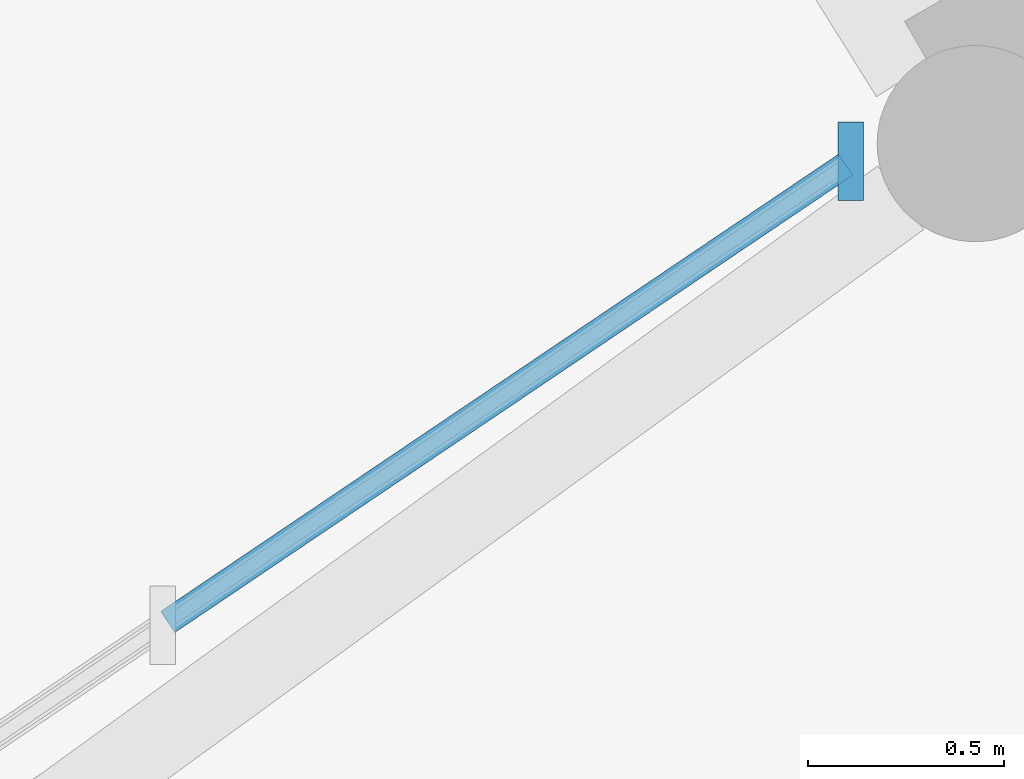
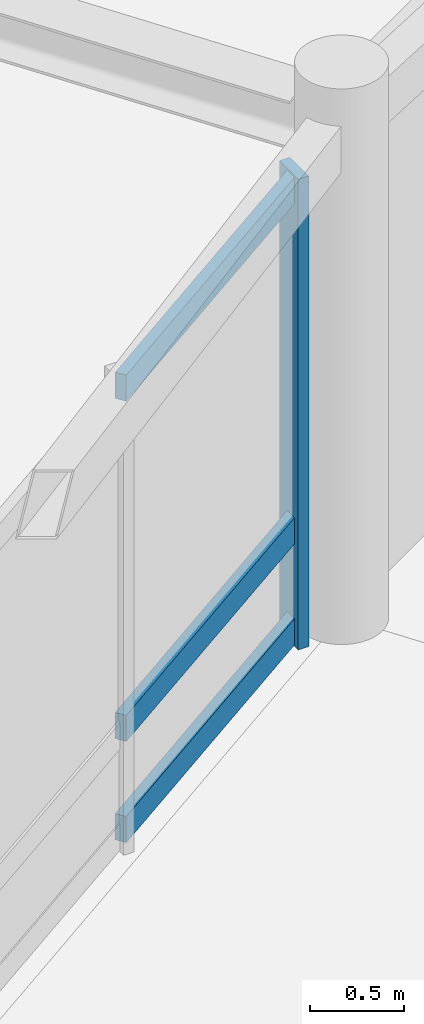
# One storey, part 17 of 74: 4 members, 1 element without a shape of its own.
"""IFC4 building model written with IfcOpenShell, lengths in metres."""

import ifcopenshell
import ifcopenshell.guid

model = None  # the IFC model being written
_history = None  # IfcOwnerHistory: only IFC2X3 demands one
_inside = {}  # id of a spatial element -> (the spatial element, [elements in it])
_under = {}  # id of a project, library or spatial element -> (it, [spatial elements below it])
_declared = {}  # id of a project -> (the project, [libraries it declares])
_typed = {}  # id of a type object -> (the type object, [elements of that type])
_made_of = {}  # id of a material, layer set ... -> (it, [elements and type objects made of it])


def new_model(schema):
    """Start an empty IFC model of exactly this schema.

    Asked for "IFC4X3", IfcOpenShell would pick the latest addendum, in which some entities
    have other attributes; the version numbers below select the first issue.
    IFC2X3 requires an IfcOwnerHistory on every rooted entity: one is made here for all.
    """
    global model, _history
    if schema == "IFC4X3":
        model = ifcopenshell.file(schema_version=(4, 3, 0, 0))
    else:
        model = ifcopenshell.file(schema=schema)
    _inside.clear()
    _under.clear()
    _declared.clear()
    _typed.clear()
    _made_of.clear()
    _history = None
    if model.schema == "IFC2X3":
        org = make("IfcOrganization", Name="unknown")
        user = make(
            "IfcPersonAndOrganization",
            ThePerson=make("IfcPerson", FamilyName="unknown"),
            TheOrganization=org,
        )
        app = make(
            "IfcApplication",
            ApplicationDeveloper=org,
            Version="unknown",
            ApplicationFullName="unknown",
            ApplicationIdentifier="unknown",
        )
        _history = make(
            "IfcOwnerHistory",
            OwningUser=user,
            OwningApplication=app,
            ChangeAction="ADDED",
            CreationDate=0,
        )
    return model


def make(cls, **values):
    """One entity of the class cls with the attributes given. An attribute that is None is left unset."""
    return model.create_entity(
        cls, **{name: value for name, value in values.items() if value is not None}
    )


def rooted(cls, **values):
    """An entity with a GlobalId (a new one), such as an element, a storey or a relation."""
    return make(cls, GlobalId=ifcopenshell.guid.new(), OwnerHistory=_history, **values)


def si_unit(unit_type, name, prefix=None):
    """IfcSIUnit, for example si_unit("LENGTHUNIT", "METRE", prefix="MILLI")."""
    return make("IfcSIUnit", UnitType=unit_type, Prefix=prefix, Name=name)


def assignment(units):
    """IfcUnitAssignment: the units of a project."""
    return None if units is None else make("IfcUnitAssignment", Units=units)


def point(xyz):
    """IfcCartesianPoint."""
    return None if xyz is None else make("IfcCartesianPoint", Coordinates=xyz)


def direction(xyz):
    """IfcDirection."""
    return None if xyz is None else make("IfcDirection", DirectionRatios=xyz)


def frame(location, z_axis=None, x_axis=None):
    """IfcAxis2Placement3D, a coordinate frame: its origin and axes. An axis left out is left unset."""
    return make(
        "IfcAxis2Placement3D",
        Location=point(location),
        Axis=direction(z_axis),
        RefDirection=direction(x_axis),
    )


def frame_2d(location, x_axis=None):
    """IfcAxis2Placement2D, a coordinate frame in the plane: its origin and x axis."""
    return make(
        "IfcAxis2Placement2D", Location=point(location), RefDirection=direction(x_axis)
    )


def origin():
    """The frame at (0, 0, 0) with its axes left unset."""
    return frame((0.0, 0.0, 0.0))


def origin_2d():
    """The frame at (0, 0) in the plane with its x axis left unset."""
    return frame_2d((0.0, 0.0))


def place(relative_to, where):
    """IfcLocalPlacement: puts the frame where relative to a parent placement (None: the world)."""
    return make(
        "IfcLocalPlacement", PlacementRelTo=relative_to, RelativePlacement=where
    )


def context(
    kind, dimensions, precision=None, world=None, true_north=None, identifier=None
):
    """IfcGeometricRepresentationContext, for example the 3D "Model" context."""
    return make(
        "IfcGeometricRepresentationContext",
        ContextIdentifier=identifier,
        ContextType=kind,
        CoordinateSpaceDimension=dimensions,
        Precision=precision,
        WorldCoordinateSystem=world,
        TrueNorth=true_north,
    )


def subcontext(parent, identifier, kind, view, scale=None):
    """IfcGeometricRepresentationSubContext, for example "Body" below "Model"."""
    return make(
        "IfcGeometricRepresentationSubContext",
        ContextIdentifier=identifier,
        ContextType=kind,
        ParentContext=parent,
        TargetScale=scale,
        TargetView=view,
    )


def project(units=None, contexts=None):
    """IfcProject with its units and contexts."""
    return rooted(
        "IfcProject",
        Name="project",
        RepresentationContexts=contexts,
        UnitsInContext=assignment(units),
    )


def spatial(cls, under=None, at=None, **own):
    """A site, building, storey or space (cls), placed at a placement, below another one or the project."""
    s = rooted(cls, ObjectPlacement=at, **own)
    if under is not None:
        _under.setdefault(under.id(), (under, []))[1].append(s)
    return s


def profile(cls, at=None, kind="AREA", **sizes):
    """A parametric profile (cls). Its sizes go by their IFC names, for example OverallWidth=200.0."""
    return make(cls, ProfileType=kind, Position=at, **sizes)


def rectangle(**sizes):
    """IfcRectangleProfileDef."""
    return profile("IfcRectangleProfileDef", **sizes)


def extrude(swept, where, along, depth):
    """IfcExtrudedAreaSolid: the profile swept, set in the frame where, extruded along a direction by depth."""
    return make(
        "IfcExtrudedAreaSolid",
        SweptArea=swept,
        Position=where,
        ExtrudedDirection=direction(along),
        Depth=depth,
    )


def shape(context_of_items, identifier, shape_type, items):
    """IfcShapeRepresentation: the items that make up one representation, for example the "Body"."""
    return make(
        "IfcShapeRepresentation",
        ContextOfItems=context_of_items,
        RepresentationIdentifier=identifier,
        RepresentationType=shape_type,
        Items=items,
    )


def material(Name=None, Category=None):
    """IfcMaterial."""
    return make("IfcMaterial", Name=Name, Category=Category)


def material_profile(
    of_material, cross_section, Name=None, Category=None, Priority=None
):
    """IfcMaterialProfile: a cross section and its material."""
    return make(
        "IfcMaterialProfile",
        Name=Name,
        Material=of_material,
        Profile=cross_section,
        Priority=Priority,
        Category=Category,
    )


def profile_set(profiles, Name=None, composite=None):
    """IfcMaterialProfileSet."""
    return make(
        "IfcMaterialProfileSet",
        Name=Name,
        MaterialProfiles=profiles,
        CompositeProfile=composite,
    )


def made_of(thing, what):
    """Note that an element or type object is made of a material, layer set ...; save() writes the relation."""
    if what is not None:
        _made_of.setdefault(what.id(), (what, []))[1].append(thing)
    return thing


def type_object(cls, material=None, **own):
    """A type object (cls), such as IfcWallType, which elements share."""
    return made_of(rooted(cls, **own), material)


def element(
    cls,
    number,
    at=None,
    inside=None,
    cuts=None,
    type_object=None,
    material=None,
    context=None,
    identifier="Body",
    shape_type=None,
    held_by="IfcProductDefinitionShape",
    body=None,
    shapes=None,
    **own,
):
    """One element of the class cls, such as IfcWall. Its Tag is "e" and its number.

    at: its placement. inside: the storey or other place that contains it. cuts: it is an
    opening in that element (IfcRelVoidsElement). A single representation is given by context,
    identifier, shape_type and body (its items); several are given by shapes. held_by: the class
    of the entity that holds the representations. save() writes the other relations.
    """
    e = rooted(cls, Tag="e%d" % number, ObjectPlacement=at, **own)
    if body is not None:
        shapes = [shape(context, identifier, shape_type, body)]
    if shapes is not None:
        e.Representation = make(held_by, Representations=shapes)
    if inside is not None:
        _inside.setdefault(inside.id(), (inside, []))[1].append(e)
    if cuts is not None:
        rooted(
            "IfcRelVoidsElement", RelatingBuildingElement=cuts, RelatedOpeningElement=e
        )
    if type_object is not None:
        _typed.setdefault(type_object.id(), (type_object, []))[1].append(e)
    return made_of(e, material)


def aggregate(whole, parts):
    """IfcRelAggregates: a whole, such as a stair, and the parts it consists of."""
    return rooted("IfcRelAggregates", RelatingObject=whole, RelatedObjects=parts)


def save(model, path):
    """Write the relations noted so far, then the file.

    IfcRelAggregates (storeys below a building ...), IfcRelContainedInSpatialStructure (elements
    in a storey), IfcRelDefinesByType, IfcRelAssociatesMaterial and IfcRelDeclares: one each for
    every whole, place, type object, material and project.
    """
    for whole, parts in _under.values():
        aggregate(whole, parts)
    for where, things in _inside.values():
        rooted(
            "IfcRelContainedInSpatialStructure",
            RelatedElements=things,
            RelatingStructure=where,
        )
    for kind, things in _typed.values():
        rooted("IfcRelDefinesByType", RelatedObjects=things, RelatingType=kind)
    for what, things in _made_of.values():
        rooted("IfcRelAssociatesMaterial", RelatedObjects=things, RelatingMaterial=what)
    for by, libraries in _declared.values():
        rooted("IfcRelDeclares", RelatingContext=by, RelatedDefinitions=libraries)
    model.write(path)


model = new_model("IFC4")

# Units and contexts
model_context = context("Model", 3, precision=1e-05, world=origin(), true_north=direction((0.0, 1.0)))
body_context = subcontext(model_context, "Body", "Model", "MODEL_VIEW")
ifc_project = project(units=[si_unit("LENGTHUNIT", "METRE"), si_unit("AREAUNIT", "SQUARE_METRE"), si_unit("VOLUMEUNIT", "CUBIC_METRE"), si_unit("PLANEANGLEUNIT", "RADIAN"), si_unit("MASSUNIT", "GRAM", prefix="KILO")], contexts=[model_context])

# Site, building, storey
site_placement = place(None, origin())
site = spatial("IfcSite", under=ifc_project, at=site_placement, CompositionType="ELEMENT")
building_placement = place(site_placement, origin())
building = spatial("IfcBuilding", under=site, at=building_placement, Name="Clarverna Civic Hall", CompositionType="ELEMENT")
storey_placement = place(building_placement, frame((0.0, 0.0, 9.60009765625)))
storey = spatial("IfcBuildingStorey", under=building, at=storey_placement, Name="L02", CompositionType="ELEMENT", Elevation=9.60009765625)

# Curtain wall, members
ifc_material = material(Name="Anodised Bronze Architectural Aluminium", Category="aluminium")
curtain_wall_type = type_object("IfcCurtainWallType", Name="CW-03", PredefinedType="USERDEFINED", material=ifc_material)
curtain_wall_placement = place(storey_placement, origin())
curtain_wall = element("IfcCurtainWall", 1, at=curtain_wall_placement, inside=storey, type_object=curtain_wall_type, Name="CW-03-059", ObjectType="UNITISED CURTAIN WALL", PredefinedType="USERDEFINED")
ifc_material_profile_1 = material_profile(ifc_material, rectangle(XDim=0.06494140625, YDim=0.199951171875, at=origin_2d()), Name="BRONZE 65x200")
ifc_profile_set_1 = profile_set([ifc_material_profile_1], Name="Anodised Bronze Architectural Aluminium")
member_type_1 = type_object("IfcMemberType", Name="CWM-03", PredefinedType="MULLION", material=ifc_profile_set_1)
member_1_placement = place(storey_placement, frame((117.1318359375, 63.24755859375, 0.0), z_axis=(0.0, 0.0, 1.0), x_axis=(1.0, 0.0, 0.0)))
member_1 = element("IfcMember", 2, at=member_1_placement, type_object=member_type_1, Name="CWM-03-103", PredefinedType="MULLION", context=body_context, shape_type="SweptSolid", body=[
    extrude(rectangle(XDim=0.06494140625, YDim=0.199951171875, at=origin_2d()), origin(), (0.0, 0.0, 1.0), 3.0498046875),
])
ifc_material_profile_2 = material_profile(ifc_material, rectangle(XDim=0.06494140625, YDim=0.169921875, at=origin_2d()), Name="BRONZE 65x170")
ifc_profile_set_2 = profile_set([ifc_material_profile_2], Name="Anodised Bronze Architectural Aluminium")
member_type_2 = type_object("IfcMemberType", Name="CWT-03", PredefinedType="USERDEFINED", material=ifc_profile_set_2)
member_2_placement = place(storey_placement, frame((117.119384765625, 63.239013671875, 0.094970703125), z_axis=(-0.829083492219, -0.559124818739, 0.0), x_axis=(0.559124818739, -0.829083492219, 0.0)))
member_2 = element("IfcMember", 3, at=member_2_placement, type_object=member_type_2, Name="CWT-03-217", ObjectType="TRANSOM", PredefinedType="USERDEFINED", context=body_context, shape_type="SweptSolid", body=[
    extrude(rectangle(XDim=0.06494140625, YDim=0.169921875, at=origin_2d()), origin(), (0.0, 0.0, 1.0), 2.08447265625),
])
member_3_placement = place(storey_placement, frame((117.119384765625, 63.239013671875, 0.75), z_axis=(-0.829083492219, -0.559124818739, 0.0), x_axis=(0.559124818739, -0.829083492219, 0.0)))
member_3 = element("IfcMember", 4, at=member_3_placement, type_object=member_type_2, Name="CWT-03-218", ObjectType="TRANSOM", PredefinedType="USERDEFINED", context=body_context, shape_type="SweptSolid", body=[
    extrude(rectangle(XDim=0.06494140625, YDim=0.169921875, at=origin_2d()), origin(), (0.0, 0.0, 1.0), 2.08447265625),
])
member_4_placement = place(storey_placement, frame((117.119384765625, 63.239013671875, 2.954833984375), z_axis=(-0.829083492219, -0.559124818739, 0.0), x_axis=(0.559124818739, -0.829083492219, 0.0)))
member_4 = element("IfcMember", 5, at=member_4_placement, type_object=member_type_2, Name="CWT-03-219", ObjectType="TRANSOM", PredefinedType="USERDEFINED", context=body_context, shape_type="SweptSolid", body=[
    extrude(rectangle(XDim=0.06494140625, YDim=0.169921875, at=origin_2d()), origin(), (0.0, 0.0, 1.0), 2.08447265625),
])
aggregate(curtain_wall, [member_1, member_2, member_3, member_4])

save(model, "model.ifc")
